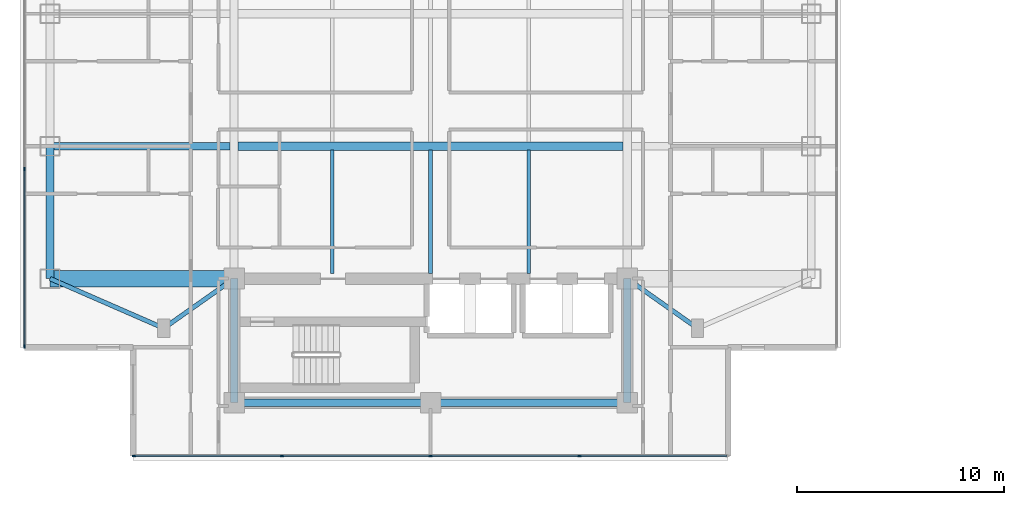
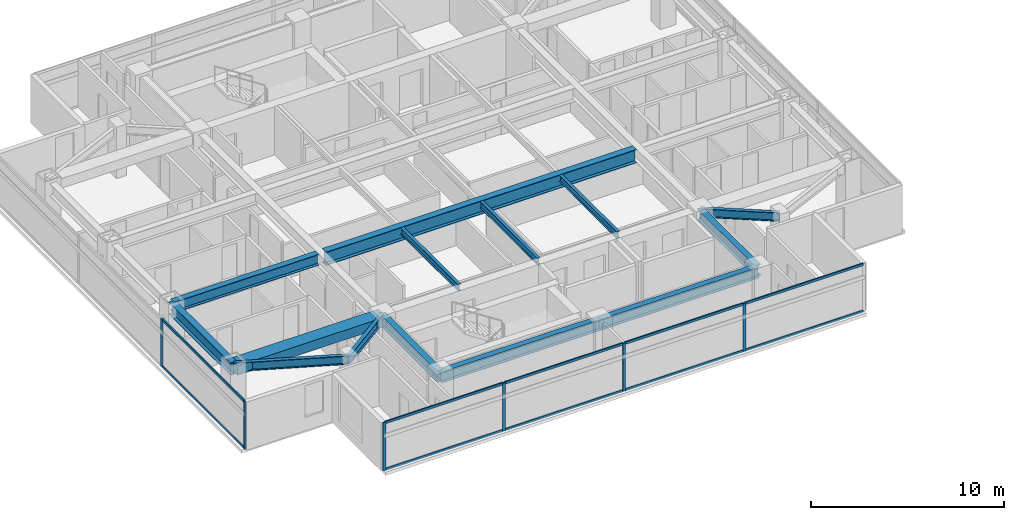
# One storey, part 2 of 24: 16 members, 14 beams, 2 elements without a shape of their own.
"""IFC4 building model written with IfcOpenShell, lengths in metres."""

from ifc_helpers import new_model, si_unit, direction, frame, origin, origin_2d, place, context, subcontext, project, spatial, rectangle, i_section, extrude, material, material_profile, profile_set, type_object, element, aggregate, save


model = new_model("IFC4")

# Units and contexts
model_context = context("Model", 3, precision=1e-05, world=origin(), true_north=direction((0.0, 1.0)))
body_context = subcontext(model_context, "Body", "Model", "MODEL_VIEW")
ifc_project = project(units=[si_unit("LENGTHUNIT", "METRE"), si_unit("AREAUNIT", "SQUARE_METRE"), si_unit("VOLUMEUNIT", "CUBIC_METRE"), si_unit("PLANEANGLEUNIT", "RADIAN"), si_unit("MASSUNIT", "GRAM", prefix="KILO")], contexts=[model_context])

# Site, building, storey
site_placement = place(None, origin())
site = spatial("IfcSite", under=ifc_project, at=site_placement, CompositionType="ELEMENT")
building_placement = place(site_placement, origin())
building = spatial("IfcBuilding", under=site, at=building_placement, Name="Mirazonda Arch Towers", CompositionType="ELEMENT")
storey_placement = place(building_placement, frame((0.0, 0.0, 154.39990234375)))
storey = spatial("IfcBuildingStorey", under=building, at=storey_placement, Name="L43", CompositionType="ELEMENT", Elevation=154.39990234375)

# Beams
ifc_material_1 = material(Name="Steel ASTM A992 Grade 50", Category="steel")
ifc_material_profile_1 = material_profile(ifc_material_1, i_section(OverallWidth=0.381103515625, OverallDepth=0.77294921875, WebThickness=0.0166015625, FlangeThickness=0.027099609375, at=origin_2d()), Name="W30X173")
ifc_profile_set_1 = profile_set([ifc_material_profile_1], Name="Steel ASTM A992 Grade 50")
beam_type_1 = type_object("IfcBeamType", Name="BM-EXT-W30X173", PredefinedType="USERDEFINED", material=ifc_profile_set_1)
beam_1_placement = place(storey_placement, frame((2.10009765625, 18.39990234375, 2.66357421875), z_axis=(0.0, 1.0, 0.0), x_axis=(-1.0, 0.0, 0.0)))
element("IfcBeam", 1, at=beam_1_placement, inside=storey, type_object=beam_type_1, Name="L43 Floor Beam BM-T1-L43-NS-W-18", ObjectType="GIRDER", PredefinedType="USERDEFINED", context=body_context, shape_type="SweptSolid", body=[
    extrude(i_section(OverallWidth=0.381103515625, OverallDepth=0.77294921875, WebThickness=0.0166015625, FlangeThickness=0.027099609375, at=origin_2d()), origin(), (0.0, 0.0, 1.0), 6.400146484375),
])
ifc_material_profile_2 = material_profile(ifc_material_1, i_section(OverallWidth=0.180908203125, OverallDepth=0.4169921875, WebThickness=0.010986328125, FlangeThickness=0.018310546875, at=origin_2d()), Name="W16X57")
ifc_profile_set_2 = profile_set([ifc_material_profile_2], Name="Steel ASTM A992 Grade 50")
beam_type_2 = type_object("IfcBeamType", Name="BM-INT-W16X57", PredefinedType="JOIST", material=ifc_profile_set_2)
for number, where, z_axis, x_axis, name in (
    (2, (15.75, 18.639892578125, 2.841552734375), (0.0, 1.0, 0.0), (-1.0, 0.0, 0.0), "L43 Floor Beam BM-T1-L43-J-157-18"),
    (3, (20.5, 18.639892578125, 2.841552734375), (0.0, 1.0, 0.0), (-1.0, 0.0, 0.0), "L43 Floor Beam BM-T1-L43-J-205-18"),
    (4, (25.25, 18.639892578125, 2.841552734375), (0.0, 1.0, 0.0), (-1.0, 0.0, 0.0), "L43 Floor Beam BM-T1-L43-J-252-18"),
):
    element("IfcBeam", number, at=place(storey_placement, frame(where, z_axis=z_axis, x_axis=x_axis)), inside=storey, type_object=beam_type_2, Name=name, PredefinedType="JOIST", context=body_context, shape_type="SweptSolid", body=[
        extrude(i_section(OverallWidth=0.180908203125, OverallDepth=0.4169921875, WebThickness=0.010986328125, FlangeThickness=0.018310546875, at=origin_2d()), origin(), (0.0, 0.0, 1.0), 5.964111328125),
    ])
ifc_material_profile_3 = material_profile(ifc_material_1, i_section(OverallWidth=0.214111328125, OverallDepth=0.549072265625, WebThickness=0.0146484375, FlangeThickness=0.023681640625, at=origin_2d()), Name="W21X93")
ifc_profile_set_3 = profile_set([ifc_material_profile_3], Name="Steel ASTM A992 Grade 50")
beam_type_3 = type_object("IfcBeamType", Name="BM-INT-W21X93", PredefinedType="BEAM", material=ifc_profile_set_3)
beam_2_placement = place(storey_placement, frame((7.60009765625, 16.0, 2.775634765625), z_axis=(0.816971114901, 0.576678591087, 0.0), x_axis=(-0.576678591087, 0.816971114901, 0.0)))
element("IfcBeam", 5, at=beam_2_placement, inside=storey, type_object=beam_type_3, Name="L43 Floor Beam BM-T1-L43-PL-SW1", PredefinedType="BEAM", context=body_context, shape_type="SweptSolid", body=[
    extrude(i_section(OverallWidth=0.214111328125, OverallDepth=0.549072265625, WebThickness=0.0146484375, FlangeThickness=0.023681640625, at=origin_2d()), origin(), (0.0, 0.0, 1.0), 4.16162109375),
])
beam_3_placement = place(storey_placement, frame((7.60009765625, 16.0, 2.775634765625), z_axis=(-0.916545343703, 0.399930785183, 0.0), x_axis=(-0.399930785183, -0.916545343703, 0.0)))
element("IfcBeam", 6, at=beam_3_placement, inside=storey, type_object=beam_type_3, Name="L43 Floor Beam BM-T1-L43-PL-SW2", PredefinedType="BEAM", context=body_context, shape_type="SweptSolid", body=[
    extrude(i_section(OverallWidth=0.214111328125, OverallDepth=0.549072265625, WebThickness=0.0146484375, FlangeThickness=0.023681640625, at=origin_2d()), origin(), (0.0, 0.0, 1.0), 6.000732421875),
])
beam_4_placement = place(storey_placement, frame((33.39990234375, 16.0, 2.775634765625), z_axis=(-0.816971114901, 0.576678591087, 0.0), x_axis=(-0.576678591087, -0.816971114901, 0.0)))
element("IfcBeam", 7, at=beam_4_placement, inside=storey, type_object=beam_type_3, Name="L43 Floor Beam BM-T1-L43-PL-SE1", PredefinedType="BEAM", context=body_context, shape_type="SweptSolid", body=[
    extrude(i_section(OverallWidth=0.214111328125, OverallDepth=0.549072265625, WebThickness=0.0146484375, FlangeThickness=0.023681640625, at=origin_2d()), origin(), (0.0, 0.0, 1.0), 4.16162109375),
])
ifc_material_profile_4 = material_profile(ifc_material_1, i_section(OverallWidth=0.35498046875, OverallDepth=0.696044921875, WebThickness=0.015380859375, FlangeThickness=0.02490234375, at=origin_2d()), Name="W27X146")
ifc_profile_set_4 = profile_set([ifc_material_profile_4], Name="Steel ASTM A992 Grade 50")
beam_type_4 = type_object("IfcBeamType", Name="BM-INT-W27X146", PredefinedType="BEAM", material=ifc_profile_set_4)
beam_5_placement = place(storey_placement, frame((2.10009765625, 24.800048828125, 2.7021484375), z_axis=(1.0, 0.0, 0.0), x_axis=(0.0, 1.0, 0.0)))
element("IfcBeam", 8, at=beam_5_placement, inside=storey, type_object=beam_type_4, Name="L43 Floor Beam BM-T1-L43-GW2", PredefinedType="BEAM", context=body_context, shape_type="SweptSolid", body=[
    extrude(i_section(OverallWidth=0.35498046875, OverallDepth=0.696044921875, WebThickness=0.015380859375, FlangeThickness=0.02490234375, at=origin_2d()), origin(), (0.0, 0.0, 1.0), 8.699951171875),
])
for number, where, z_axis, x_axis, name in (
    (9, (11.0, 12.39990234375, 2.7021484375), (1.0, 0.0, 0.0), (0.0, 1.0, 0.0), "L43 Floor Beam BM-T1-L43-CS1"),
    (10, (20.5, 12.39990234375, 2.7021484375), (1.0, 0.0, 0.0), (0.0, 1.0, 0.0), "L43 Floor Beam BM-T1-L43-CS2"),
):
    element("IfcBeam", number, at=place(storey_placement, frame(where, z_axis=z_axis, x_axis=x_axis)), inside=storey, type_object=beam_type_4, Name=name, PredefinedType="BEAM", context=body_context, shape_type="SweptSolid", body=[
        extrude(i_section(OverallWidth=0.35498046875, OverallDepth=0.696044921875, WebThickness=0.015380859375, FlangeThickness=0.02490234375, at=origin_2d()), origin(), (0.0, 0.0, 1.0), 9.5),
    ])
for number, where, z_axis, x_axis, name in (
    (11, (11.0, 12.39990234375, 2.7021484375), (0.0, 1.0, 0.0), (-1.0, 0.0, 0.0), "L43 Floor Beam BM-T1-L43-CSW"),
    (12, (30.0, 12.39990234375, 2.7021484375), (0.0, 1.0, 0.0), (-1.0, 0.0, 0.0), "L43 Floor Beam BM-T1-L43-CSE"),
):
    element("IfcBeam", number, at=place(storey_placement, frame(where, z_axis=z_axis, x_axis=x_axis)), inside=storey, type_object=beam_type_4, Name=name, PredefinedType="BEAM", context=body_context, shape_type="SweptSolid", body=[
        extrude(i_section(OverallWidth=0.35498046875, OverallDepth=0.696044921875, WebThickness=0.015380859375, FlangeThickness=0.02490234375, at=origin_2d()), origin(), (0.0, 0.0, 1.0), 6.0),
    ])
ifc_material_profile_5 = material_profile(ifc_material_1, i_section(OverallWidth=0.39990234375, OverallDepth=0.85595703125, WebThickness=0.018310546875, FlangeThickness=0.029296875, at=origin_2d()), Name="W33X201")
ifc_profile_set_5 = profile_set([ifc_material_profile_5], Name="Steel ASTM A992 Grade 50")
beam_type_5 = type_object("IfcBeamType", Name="BM-INT-W33X201", PredefinedType="USERDEFINED", material=ifc_profile_set_5)
beam_6_placement = place(storey_placement, frame((11.199951171875, 24.800048828125, 2.6220703125), z_axis=(1.0, 0.0, 0.0), x_axis=(0.0, 1.0, 0.0)))
element("IfcBeam", 13, at=beam_6_placement, inside=storey, type_object=beam_type_5, Name="L43 Floor Beam BM-T1-L43-GC2", ObjectType="GIRDER", PredefinedType="USERDEFINED", context=body_context, shape_type="SweptSolid", body=[
    extrude(i_section(OverallWidth=0.39990234375, OverallDepth=0.85595703125, WebThickness=0.018310546875, FlangeThickness=0.029296875, at=origin_2d()), origin(), (0.0, 0.0, 1.0), 18.60009765625),
])
ifc_material_2 = material(Name="Concrete C60/75", Category="concrete")
ifc_material_profile_6 = material_profile(ifc_material_2, rectangle(XDim=0.800048828125, YDim=0.60009765625, at=origin_2d()), Name="RCCB800x600")
ifc_profile_set_6 = profile_set([ifc_material_profile_6], Name="Concrete C60/75")
beam_type_6 = type_object("IfcBeamType", Name="CB-INT-RCCB800x600", PredefinedType="SPANDREL", material=ifc_profile_set_6)
beam_7_placement = place(storey_placement, frame((2.10009765625, 18.39990234375, 2.75), z_axis=(1.0, 0.0, 0.0), x_axis=(0.0, 1.0, 0.0)))
element("IfcBeam", 14, at=beam_7_placement, inside=storey, type_object=beam_type_6, Name="L43 Floor Beam CBC-T1-L43-SW", PredefinedType="SPANDREL", context=body_context, shape_type="SweptSolid", body=[
    extrude(rectangle(XDim=0.800048828125, YDim=0.60009765625, at=origin_2d()), origin(), (0.0, 0.0, 1.0), 8.89990234375),
])

# Curtain wall, members
ifc_material_3 = material(Name="Anodised Aluminium and Low-E Glass", Category="aluminium")
curtain_wall_type = type_object("IfcCurtainWallType", Name="CW-RES-UNIT", PredefinedType="NOTDEFINED", material=ifc_material_3)
curtain_wall_1_placement = place(storey_placement, origin())
curtain_wall_1 = element("IfcCurtainWall", 15, at=curtain_wall_1_placement, inside=storey, type_object=curtain_wall_type, Name="L43 T1 S Facade CW-L43-T1-S", PredefinedType="NOTDEFINED")
ifc_material_4 = material(Name="Anodised Aluminium Alloy", Category="aluminium")
ifc_material_profile_7 = material_profile(ifc_material_4, rectangle(XDim=0.074951171875, YDim=0.175048828125, at=origin_2d()), Name="ALU-MULL-75x175")
ifc_profile_set_7 = profile_set([ifc_material_profile_7], Name="Anodised Aluminium Alloy")
member_type_1 = type_object("IfcMemberType", Name="MULL-CW-RES-UNIT", PredefinedType="MULLION", material=ifc_profile_set_7)
member_1_placement = place(storey_placement, frame((27.6923828125, 9.830078125, 0.0), z_axis=(0.0, 0.0, 1.0), x_axis=(0.0, -1.0, 0.0)))
member_1 = element("IfcMember", 16, at=member_1_placement, type_object=member_type_1, Name="CW-104 mullion 2", PredefinedType="MULLION", context=body_context, shape_type="SweptSolid", body=[
    extrude(rectangle(XDim=0.074951171875, YDim=0.175048828125, at=origin_2d()), origin(), (0.0, 0.0, 1.0), 3.030029296875),
])
member_2_placement = place(storey_placement, frame((20.5, 9.830078125, 0.0), z_axis=(0.0, 0.0, 1.0), x_axis=(0.0, -1.0, 0.0)))
member_2 = element("IfcMember", 17, at=member_2_placement, type_object=member_type_1, Name="CW-104 mullion 3", PredefinedType="MULLION", context=body_context, shape_type="SweptSolid", body=[
    extrude(rectangle(XDim=0.074951171875, YDim=0.175048828125, at=origin_2d()), origin(), (0.0, 0.0, 1.0), 3.030029296875),
])
member_3_placement = place(storey_placement, frame((13.3076171875, 9.830078125, 0.0), z_axis=(0.0, 0.0, 1.0), x_axis=(0.0, -1.0, 0.0)))
member_3 = element("IfcMember", 18, at=member_3_placement, type_object=member_type_1, Name="CW-104 mullion 4", PredefinedType="MULLION", context=body_context, shape_type="SweptSolid", body=[
    extrude(rectangle(XDim=0.074951171875, YDim=0.175048828125, at=origin_2d()), origin(), (0.0, 0.0, 1.0), 3.030029296875),
])
member_4_placement = place(storey_placement, frame((6.152587890625, 9.830078125, 0.0), z_axis=(0.0, 0.0, 1.0), x_axis=(0.0, -1.0, 0.0)))
member_4 = element("IfcMember", 19, at=member_4_placement, type_object=member_type_1, Name="CW-104 mullion 5", PredefinedType="MULLION", context=body_context, shape_type="SweptSolid", body=[
    extrude(rectangle(XDim=0.074951171875, YDim=0.175048828125, at=origin_2d()), origin(), (0.0, 0.0, 1.0), 3.030029296875),
])

curtain_wall_2_placement = place(storey_placement, origin())
curtain_wall_2 = element("IfcCurtainWall", 20, at=curtain_wall_2_placement, inside=storey, type_object=curtain_wall_type, Name="L43 T1 W Facade CW-L43-T1-W", PredefinedType="NOTDEFINED")
member_5_placement = place(storey_placement, frame((0.8701171875, 23.691650390625, 0.0), z_axis=(0.0, 0.0, 1.0), x_axis=(1.0, 0.0, 0.0)))
member_5 = element("IfcMember", 21, at=member_5_placement, type_object=member_type_1, Name="CW-104 mullion 3", PredefinedType="MULLION", context=body_context, shape_type="SweptSolid", body=[
    extrude(rectangle(XDim=0.074951171875, YDim=0.175048828125, at=origin_2d()), origin(), (0.0, 0.0, 1.0), 3.030029296875),
])
member_6_placement = place(storey_placement, frame((0.8701171875, 15.112548828125, 0.0), z_axis=(0.0, 0.0, 1.0), x_axis=(1.0, 0.0, 0.0)))
member_6 = element("IfcMember", 22, at=member_6_placement, type_object=member_type_1, Name="CW-104 mullion 4", PredefinedType="MULLION", context=body_context, shape_type="SweptSolid", body=[
    extrude(rectangle(XDim=0.074951171875, YDim=0.175048828125, at=origin_2d()), origin(), (0.0, 0.0, 1.0), 3.030029296875),
])

# Member
ifc_material_profile_8 = material_profile(ifc_material_4, rectangle(XDim=0.074951171875, YDim=0.155029296875, at=origin_2d()), Name="ALU-TRAN-75x155")
ifc_profile_set_8 = profile_set([ifc_material_profile_8], Name="Anodised Aluminium Alloy")
member_type_2 = type_object("IfcMemberType", Name="TRAN-CW-RES-UNIT", PredefinedType="USERDEFINED", material=ifc_profile_set_8)
member_7_placement = place(storey_placement, frame((34.81005859375, 9.830078125, 0.03759765625), z_axis=(-1.0, 0.0, 0.0), x_axis=(0.0, -1.0, 0.0)))
member_7 = element("IfcMember", 23, at=member_7_placement, type_object=member_type_2, Name="CW-104 transom 1.1", ObjectType="TRANSOM", PredefinedType="USERDEFINED", context=body_context, shape_type="SweptSolid", body=[
    extrude(rectangle(XDim=0.074951171875, YDim=0.155029296875, at=origin_2d()), origin(), (0.0, 0.0, 1.0), 7.080078125),
])

member_8_placement = place(storey_placement, frame((34.81005859375, 9.830078125, 2.99267578125), z_axis=(-1.0, 0.0, 0.0), x_axis=(0.0, -1.0, 0.0)))
member_8 = element("IfcMember", 24, at=member_8_placement, type_object=member_type_2, Name="CW-104 transom 1.2", ObjectType="TRANSOM", PredefinedType="USERDEFINED", context=body_context, shape_type="SweptSolid", body=[
    extrude(rectangle(XDim=0.074951171875, YDim=0.155029296875, at=origin_2d()), origin(), (0.0, 0.0, 1.0), 7.080078125),
])

member_9_placement = place(storey_placement, frame((27.655029296875, 9.830078125, 0.03759765625), z_axis=(-1.0, 0.0, 0.0), x_axis=(0.0, -1.0, 0.0)))
member_9 = element("IfcMember", 25, at=member_9_placement, type_object=member_type_2, Name="CW-104 transom 2.1", ObjectType="TRANSOM", PredefinedType="USERDEFINED", context=body_context, shape_type="SweptSolid", body=[
    extrude(rectangle(XDim=0.074951171875, YDim=0.155029296875, at=origin_2d()), origin(), (0.0, 0.0, 1.0), 7.117431640625),
])

member_10_placement = place(storey_placement, frame((27.655029296875, 9.830078125, 2.99267578125), z_axis=(-1.0, 0.0, 0.0), x_axis=(0.0, -1.0, 0.0)))
member_10 = element("IfcMember", 26, at=member_10_placement, type_object=member_type_2, Name="CW-104 transom 2.2", ObjectType="TRANSOM", PredefinedType="USERDEFINED", context=body_context, shape_type="SweptSolid", body=[
    extrude(rectangle(XDim=0.074951171875, YDim=0.155029296875, at=origin_2d()), origin(), (0.0, 0.0, 1.0), 7.117431640625),
])

member_11_placement = place(storey_placement, frame((20.46240234375, 9.830078125, 0.03759765625), z_axis=(-1.0, 0.0, 0.0), x_axis=(0.0, -1.0, 0.0)))
member_11 = element("IfcMember", 27, at=member_11_placement, type_object=member_type_2, Name="CW-104 transom 3.1", ObjectType="TRANSOM", PredefinedType="USERDEFINED", context=body_context, shape_type="SweptSolid", body=[
    extrude(rectangle(XDim=0.074951171875, YDim=0.155029296875, at=origin_2d()), origin(), (0.0, 0.0, 1.0), 7.117431640625),
])

member_12_placement = place(storey_placement, frame((20.46240234375, 9.830078125, 2.99267578125), z_axis=(-1.0, 0.0, 0.0), x_axis=(0.0, -1.0, 0.0)))
member_12 = element("IfcMember", 28, at=member_12_placement, type_object=member_type_2, Name="CW-104 transom 3.2", ObjectType="TRANSOM", PredefinedType="USERDEFINED", context=body_context, shape_type="SweptSolid", body=[
    extrude(rectangle(XDim=0.074951171875, YDim=0.155029296875, at=origin_2d()), origin(), (0.0, 0.0, 1.0), 7.117431640625),
])

member_13_placement = place(storey_placement, frame((13.27001953125, 9.830078125, 0.03759765625), z_axis=(-1.0, 0.0, 0.0), x_axis=(0.0, -1.0, 0.0)))
member_13 = element("IfcMember", 29, at=member_13_placement, type_object=member_type_2, Name="CW-104 transom 4.1", ObjectType="TRANSOM", PredefinedType="USERDEFINED", context=body_context, shape_type="SweptSolid", body=[
    extrude(rectangle(XDim=0.074951171875, YDim=0.155029296875, at=origin_2d()), origin(), (0.0, 0.0, 1.0), 7.080078125),
])

member_14_placement = place(storey_placement, frame((13.27001953125, 9.830078125, 2.99267578125), z_axis=(-1.0, 0.0, 0.0), x_axis=(0.0, -1.0, 0.0)))
member_14 = element("IfcMember", 30, at=member_14_placement, type_object=member_type_2, Name="CW-104 transom 4.2", ObjectType="TRANSOM", PredefinedType="USERDEFINED", context=body_context, shape_type="SweptSolid", body=[
    extrude(rectangle(XDim=0.074951171875, YDim=0.155029296875, at=origin_2d()), origin(), (0.0, 0.0, 1.0), 7.080078125),
])

aggregate(curtain_wall_1, [member_1, member_2, member_3, member_4, member_7, member_8, member_9, member_10, member_11, member_12, member_13, member_14])

member_15_placement = place(storey_placement, frame((0.8701171875, 23.654052734375, 0.03759765625), z_axis=(0.0, -1.0, 0.0), x_axis=(1.0, 0.0, 0.0)))
member_15 = element("IfcMember", 31, at=member_15_placement, type_object=member_type_2, Name="CW-104 transom 3.1", ObjectType="TRANSOM", PredefinedType="USERDEFINED", context=body_context, shape_type="SweptSolid", body=[
    extrude(rectangle(XDim=0.074951171875, YDim=0.155029296875, at=origin_2d()), origin(), (0.0, 0.0, 1.0), 8.504150390625),
])

member_16_placement = place(storey_placement, frame((0.8701171875, 23.654052734375, 2.99267578125), z_axis=(0.0, -1.0, 0.0), x_axis=(1.0, 0.0, 0.0)))
member_16 = element("IfcMember", 32, at=member_16_placement, type_object=member_type_2, Name="CW-104 transom 3.2", ObjectType="TRANSOM", PredefinedType="USERDEFINED", context=body_context, shape_type="SweptSolid", body=[
    extrude(rectangle(XDim=0.074951171875, YDim=0.155029296875, at=origin_2d()), origin(), (0.0, 0.0, 1.0), 8.504150390625),
])

aggregate(curtain_wall_2, [member_5, member_6, member_15, member_16])

save(model, "model.ifc")
